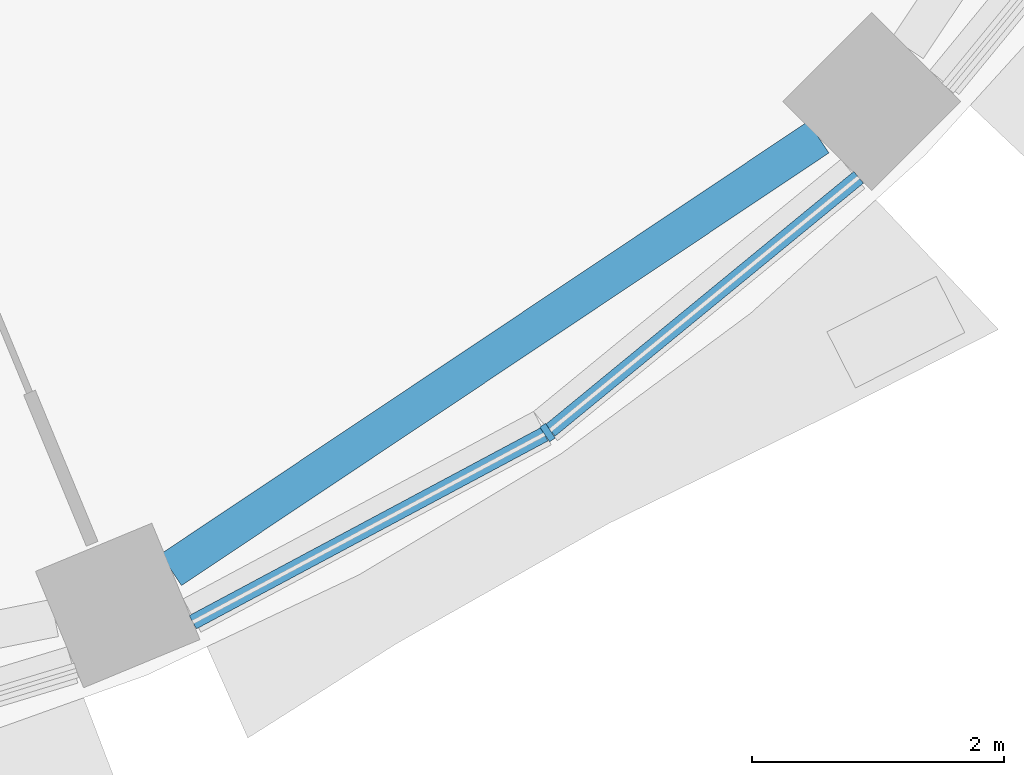
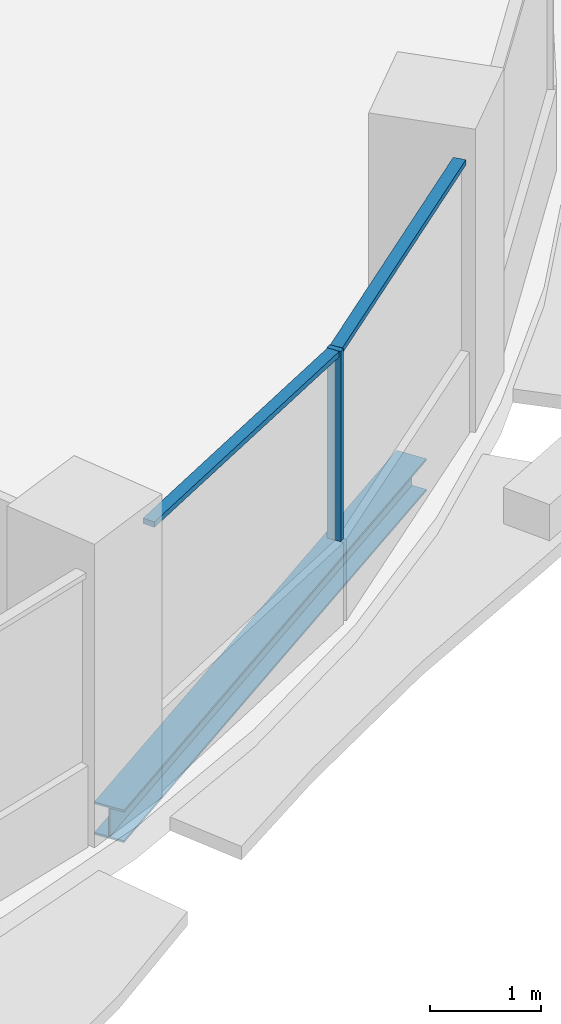
# One storey, part 3 of 15: 3 members, 1 beam, 1 element without a shape of its own.
"""IFC4 building model written with IfcOpenShell, lengths in metres."""

from ifc_helpers import new_model, si_unit, direction, frame, origin, origin_2d, place, context, subcontext, project, spatial, rectangle, i_section, extrude, material, material_profile, profile_set, type_object, element, aggregate, save


model = new_model("IFC4")

# Units and contexts
model_context = context("Model", 3, precision=1e-05, world=origin(), true_north=direction((0.0, 1.0)))
body_context = subcontext(model_context, "Body", "Model", "MODEL_VIEW")
ifc_project = project(units=[si_unit("LENGTHUNIT", "METRE"), si_unit("AREAUNIT", "SQUARE_METRE"), si_unit("VOLUMEUNIT", "CUBIC_METRE"), si_unit("PLANEANGLEUNIT", "RADIAN"), si_unit("MASSUNIT", "GRAM", prefix="KILO")], contexts=[model_context])

# Site, building, storey
site_placement = place(None, origin())
site = spatial("IfcSite", under=ifc_project, at=site_placement, CompositionType="ELEMENT")
building_placement = place(site_placement, origin())
building = spatial("IfcBuilding", under=site, at=building_placement, Name="Polderwave Tower", CompositionType="ELEMENT")
storey_placement = place(building_placement, frame((0.0, 0.0, 124.300048828125)))
storey = spatial("IfcBuildingStorey", under=building, at=storey_placement, Name="L32", CompositionType="ELEMENT", Elevation=124.300048828125)

# Curtain wall, members
ifc_material_1 = material(Name="Aluminium 6063-T6 and glass", Category="aluminium")
curtain_wall_type = type_object("IfcCurtainWallType", Name="Office ribbon glazing wall", PredefinedType="NOTDEFINED", material=ifc_material_1)
curtain_wall_placement = place(storey_placement, origin())
curtain_wall = element("IfcCurtainWall", 1, at=curtain_wall_placement, inside=storey, type_object=curtain_wall_type, Name="CW3 L32 13", PredefinedType="NOTDEFINED")
ifc_material_2 = material(Name="Aluminium 6063-T6", Category="aluminium")
ifc_material_profile_1 = material_profile(ifc_material_2, rectangle(XDim=0.139892578125, YDim=0.054931640625, at=origin_2d()), Name="AL 55x140")
ifc_profile_set_1 = profile_set([ifc_material_profile_1], Name="Aluminium 6063-T6")
member_type_1 = type_object("IfcMemberType", Name="Office ribbon glazing mullion 55x140", PredefinedType="MULLION", material=ifc_profile_set_1)
member_1_placement = place(storey_placement, frame((10.47802734375, -15.681884765625, 0.89990234375), z_axis=(0.0, 0.0, 1.0), x_axis=(-0.555594902975, 0.831453127836, 0.0)))
member_1 = element("IfcMember", 2, at=member_1_placement, type_object=member_type_1, Name="CW3 mullion 1", PredefinedType="MULLION", context=body_context, shape_type="SweptSolid", body=[
    extrude(rectangle(XDim=0.139892578125, YDim=0.054931640625, at=origin_2d()), origin(), (0.0, 0.0, 1.0), 2.10009765625),
])
ifc_material_profile_2 = material_profile(ifc_material_2, rectangle(XDim=0.1201171875, YDim=0.06005859375, at=origin_2d()), Name="AL 60x120")
ifc_profile_set_2 = profile_set([ifc_material_profile_2], Name="Aluminium 6063-T6")
member_type_2 = type_object("IfcMemberType", Name="Office ribbon glazing transom 60x120", PredefinedType="USERDEFINED", material=ifc_profile_set_2)
member_2_placement = place(storey_placement, frame((7.660888671875, -17.18798828125, 2.969970703125), z_axis=(0.881897958208, 0.471440336956, 0.0), x_axis=(-0.471440336956, 0.881897958208, 0.0)))
member_2 = element("IfcMember", 3, at=member_2_placement, type_object=member_type_2, Name="CW3 transom 1", ObjectType="TRANSOM", PredefinedType="USERDEFINED", context=body_context, shape_type="SweptSolid", body=[
    extrude(rectangle(XDim=0.1201171875, YDim=0.06005859375, at=origin_2d()), origin(), (0.0, 0.0, 1.0), 3.166748046875),
])
member_3_placement = place(storey_placement, frame((10.499267578125, -15.66455078125, 2.969970703125), z_axis=(0.773025883871, 0.634374481569, 0.0), x_axis=(-0.634374481569, 0.773025883871, 0.0)))
member_3 = element("IfcMember", 4, at=member_3_placement, type_object=member_type_2, Name="CW3 transom 2", ObjectType="TRANSOM", PredefinedType="USERDEFINED", context=body_context, shape_type="SweptSolid", body=[
    extrude(rectangle(XDim=0.1201171875, YDim=0.06005859375, at=origin_2d()), origin(), (0.0, 0.0, 1.0), 3.167724609375),
])
aggregate(curtain_wall, [member_1, member_2, member_3])

# Beam
ifc_material_3 = material(Name="Steel S355", Category="steel")
ifc_material_profile_3 = material_profile(ifc_material_3, i_section(OverallWidth=0.300048828125, OverallDepth=0.360107421875, WebThickness=0.012451171875, FlangeThickness=0.0224609375, at=origin_2d()), Name="HE 360 B")
ifc_profile_set_3 = profile_set([ifc_material_profile_3], Name="Steel S355")
beam_type = type_object("IfcBeamType", Name="RING BEAM HE 360 B", PredefinedType="BEAM", material=ifc_profile_set_3)
beam_placement = place(storey_placement, frame((7.48828125, -16.771484375, -0.530029296875), z_axis=(0.831478837086, 0.555556426907, 0.0), x_axis=(-0.555556426907, 0.831478837086, 0.0)))
element("IfcBeam", 5, at=beam_placement, inside=storey, type_object=beam_type, Name="ST-RB-L32-13", PredefinedType="BEAM", context=body_context, shape_type="SweptSolid", body=[
    extrude(i_section(OverallWidth=0.300048828125, OverallDepth=0.360107421875, WebThickness=0.012451171875, FlangeThickness=0.0224609375, at=origin_2d()), origin(), (0.0, 0.0, 1.0), 6.18310546875),
])

save(model, "model.ifc")
